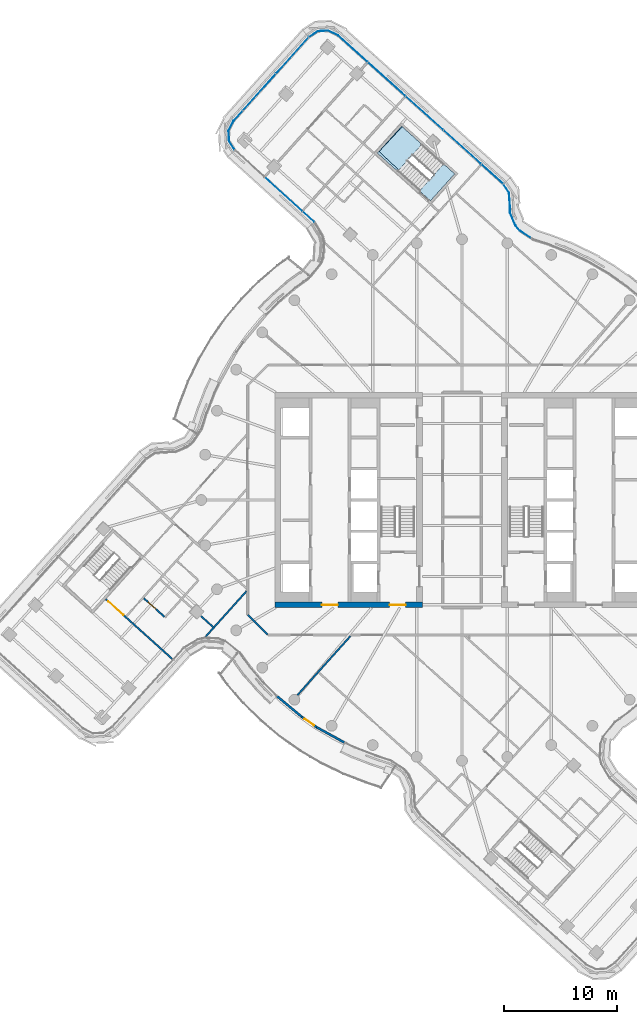
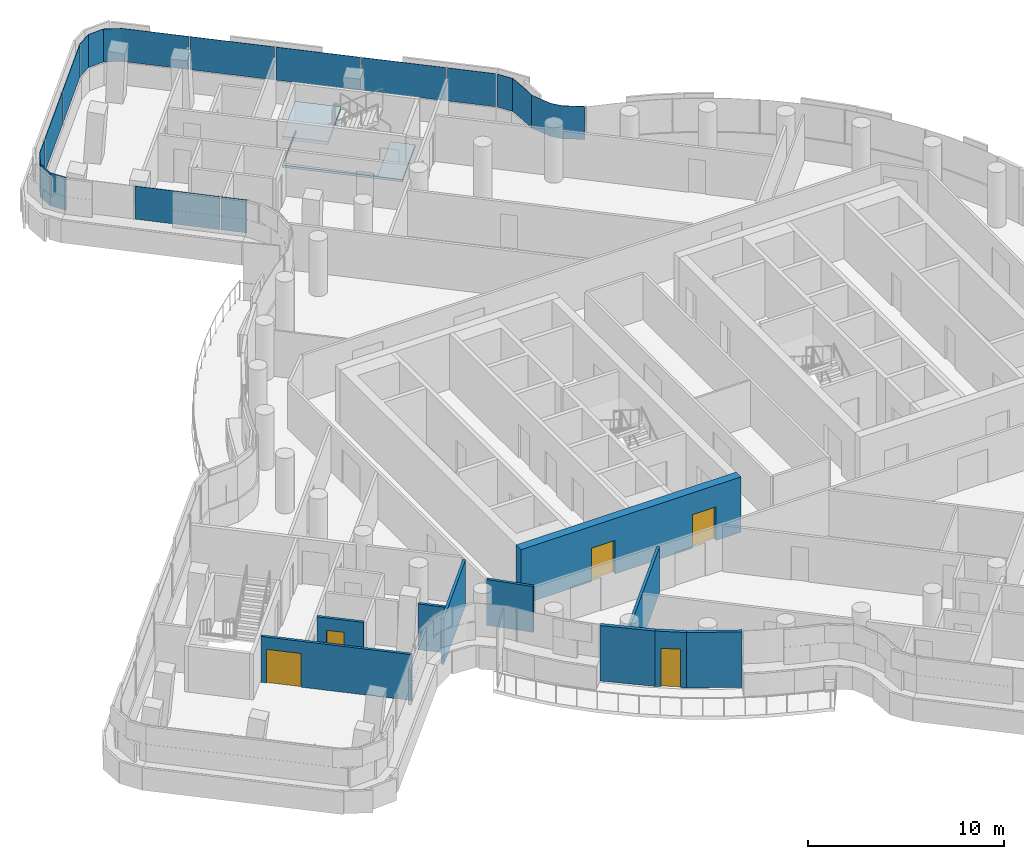
# One storey, part 18 of 31: 11 plates, 10 walls, 5 doors, 2 slabs, 5 openings, 5 elements without a shape of their own.
"""IFC4 building model written with IfcOpenShell, lengths in metres."""

import ifcopenshell
import ifcopenshell.guid

model = None  # the IFC model being written
_history = None  # IfcOwnerHistory: only IFC2X3 demands one
_inside = {}  # id of a spatial element -> (the spatial element, [elements in it])
_under = {}  # id of a project, library or spatial element -> (it, [spatial elements below it])
_declared = {}  # id of a project -> (the project, [libraries it declares])
_typed = {}  # id of a type object -> (the type object, [elements of that type])
_made_of = {}  # id of a material, layer set ... -> (it, [elements and type objects made of it])


def new_model(schema):
    """Start an empty IFC model of exactly this schema.

    Asked for "IFC4X3", IfcOpenShell would pick the latest addendum, in which some entities
    have other attributes; the version numbers below select the first issue.
    IFC2X3 requires an IfcOwnerHistory on every rooted entity: one is made here for all.
    """
    global model, _history
    if schema == "IFC4X3":
        model = ifcopenshell.file(schema_version=(4, 3, 0, 0))
    else:
        model = ifcopenshell.file(schema=schema)
    _inside.clear()
    _under.clear()
    _declared.clear()
    _typed.clear()
    _made_of.clear()
    _history = None
    if model.schema == "IFC2X3":
        org = make("IfcOrganization", Name="unknown")
        user = make(
            "IfcPersonAndOrganization",
            ThePerson=make("IfcPerson", FamilyName="unknown"),
            TheOrganization=org,
        )
        app = make(
            "IfcApplication",
            ApplicationDeveloper=org,
            Version="unknown",
            ApplicationFullName="unknown",
            ApplicationIdentifier="unknown",
        )
        _history = make(
            "IfcOwnerHistory",
            OwningUser=user,
            OwningApplication=app,
            ChangeAction="ADDED",
            CreationDate=0,
        )
    return model


def make(cls, **values):
    """One entity of the class cls with the attributes given. An attribute that is None is left unset."""
    return model.create_entity(
        cls, **{name: value for name, value in values.items() if value is not None}
    )


def rooted(cls, **values):
    """An entity with a GlobalId (a new one), such as an element, a storey or a relation."""
    return make(cls, GlobalId=ifcopenshell.guid.new(), OwnerHistory=_history, **values)


def si_unit(unit_type, name, prefix=None):
    """IfcSIUnit, for example si_unit("LENGTHUNIT", "METRE", prefix="MILLI")."""
    return make("IfcSIUnit", UnitType=unit_type, Prefix=prefix, Name=name)


def assignment(units):
    """IfcUnitAssignment: the units of a project."""
    return None if units is None else make("IfcUnitAssignment", Units=units)


def point(xyz):
    """IfcCartesianPoint."""
    return None if xyz is None else make("IfcCartesianPoint", Coordinates=xyz)


def direction(xyz):
    """IfcDirection."""
    return None if xyz is None else make("IfcDirection", DirectionRatios=xyz)


def frame(location, z_axis=None, x_axis=None):
    """IfcAxis2Placement3D, a coordinate frame: its origin and axes. An axis left out is left unset."""
    return make(
        "IfcAxis2Placement3D",
        Location=point(location),
        Axis=direction(z_axis),
        RefDirection=direction(x_axis),
    )


def frame_2d(location, x_axis=None):
    """IfcAxis2Placement2D, a coordinate frame in the plane: its origin and x axis."""
    return make(
        "IfcAxis2Placement2D", Location=point(location), RefDirection=direction(x_axis)
    )


def origin():
    """The frame at (0, 0, 0) with its axes left unset."""
    return frame((0.0, 0.0, 0.0))


def place(relative_to, where):
    """IfcLocalPlacement: puts the frame where relative to a parent placement (None: the world)."""
    return make(
        "IfcLocalPlacement", PlacementRelTo=relative_to, RelativePlacement=where
    )


def context(
    kind, dimensions, precision=None, world=None, true_north=None, identifier=None
):
    """IfcGeometricRepresentationContext, for example the 3D "Model" context."""
    return make(
        "IfcGeometricRepresentationContext",
        ContextIdentifier=identifier,
        ContextType=kind,
        CoordinateSpaceDimension=dimensions,
        Precision=precision,
        WorldCoordinateSystem=world,
        TrueNorth=true_north,
    )


def subcontext(parent, identifier, kind, view, scale=None):
    """IfcGeometricRepresentationSubContext, for example "Body" below "Model"."""
    return make(
        "IfcGeometricRepresentationSubContext",
        ContextIdentifier=identifier,
        ContextType=kind,
        ParentContext=parent,
        TargetScale=scale,
        TargetView=view,
    )


def project(units=None, contexts=None):
    """IfcProject with its units and contexts."""
    return rooted(
        "IfcProject",
        Name="project",
        RepresentationContexts=contexts,
        UnitsInContext=assignment(units),
    )


def spatial(cls, under=None, at=None, **own):
    """A site, building, storey or space (cls), placed at a placement, below another one or the project."""
    s = rooted(cls, ObjectPlacement=at, **own)
    if under is not None:
        _under.setdefault(under.id(), (under, []))[1].append(s)
    return s


def polyline(points):
    """IfcPolyline through the points."""
    return make("IfcPolyline", Points=[point(p) for p in points])


def profile(cls, at=None, kind="AREA", **sizes):
    """A parametric profile (cls). Its sizes go by their IFC names, for example OverallWidth=200.0."""
    return make(cls, ProfileType=kind, Position=at, **sizes)


def rectangle(**sizes):
    """IfcRectangleProfileDef."""
    return profile("IfcRectangleProfileDef", **sizes)


def outline(outer, holes=None, kind="AREA"):
    """IfcArbitraryClosedProfileDef: a profile drawn as a closed curve; with holes, ...WithVoids."""
    if holes is None:
        return make("IfcArbitraryClosedProfileDef", ProfileType=kind, OuterCurve=outer)
    return make(
        "IfcArbitraryProfileDefWithVoids",
        ProfileType=kind,
        OuterCurve=outer,
        InnerCurves=holes,
    )


def extrude(swept, where, along, depth):
    """IfcExtrudedAreaSolid: the profile swept, set in the frame where, extruded along a direction by depth."""
    return make(
        "IfcExtrudedAreaSolid",
        SweptArea=swept,
        Position=where,
        ExtrudedDirection=direction(along),
        Depth=depth,
    )


def shape(context_of_items, identifier, shape_type, items):
    """IfcShapeRepresentation: the items that make up one representation, for example the "Body"."""
    return make(
        "IfcShapeRepresentation",
        ContextOfItems=context_of_items,
        RepresentationIdentifier=identifier,
        RepresentationType=shape_type,
        Items=items,
    )


def material(Name=None, Category=None):
    """IfcMaterial."""
    return make("IfcMaterial", Name=Name, Category=Category)


def layer(
    of_material, thickness, ventilated=None, Name=None, Category=None, Priority=None
):
    """IfcMaterialLayer: one layer of a wall or slab, of a material (None: an air gap)."""
    return make(
        "IfcMaterialLayer",
        Material=of_material,
        LayerThickness=thickness,
        IsVentilated=ventilated,
        Name=Name,
        Category=Category,
        Priority=Priority,
    )


def layer_set(layers, Name=None):
    """IfcMaterialLayerSet."""
    return make("IfcMaterialLayerSet", MaterialLayers=layers, LayerSetName=Name)


def made_of(thing, what):
    """Note that an element or type object is made of a material, layer set ...; save() writes the relation."""
    if what is not None:
        _made_of.setdefault(what.id(), (what, []))[1].append(thing)
    return thing


def type_object(cls, material=None, **own):
    """A type object (cls), such as IfcWallType, which elements share."""
    return made_of(rooted(cls, **own), material)


def element(
    cls,
    number,
    at=None,
    inside=None,
    cuts=None,
    type_object=None,
    material=None,
    context=None,
    identifier="Body",
    shape_type=None,
    held_by="IfcProductDefinitionShape",
    body=None,
    shapes=None,
    **own,
):
    """One element of the class cls, such as IfcWall. Its Tag is "e" and its number.

    at: its placement. inside: the storey or other place that contains it. cuts: it is an
    opening in that element (IfcRelVoidsElement). A single representation is given by context,
    identifier, shape_type and body (its items); several are given by shapes. held_by: the class
    of the entity that holds the representations. save() writes the other relations.
    """
    e = rooted(cls, Tag="e%d" % number, ObjectPlacement=at, **own)
    if body is not None:
        shapes = [shape(context, identifier, shape_type, body)]
    if shapes is not None:
        e.Representation = make(held_by, Representations=shapes)
    if inside is not None:
        _inside.setdefault(inside.id(), (inside, []))[1].append(e)
    if cuts is not None:
        rooted(
            "IfcRelVoidsElement", RelatingBuildingElement=cuts, RelatedOpeningElement=e
        )
    if type_object is not None:
        _typed.setdefault(type_object.id(), (type_object, []))[1].append(e)
    return made_of(e, material)


def fill(opening, filler):
    """IfcRelFillsElement: the door or window that sits in an opening."""
    return rooted(
        "IfcRelFillsElement",
        RelatingOpeningElement=opening,
        RelatedBuildingElement=filler,
    )


def aggregate(whole, parts):
    """IfcRelAggregates: a whole, such as a stair, and the parts it consists of."""
    return rooted("IfcRelAggregates", RelatingObject=whole, RelatedObjects=parts)


def save(model, path):
    """Write the relations noted so far, then the file.

    IfcRelAggregates (storeys below a building ...), IfcRelContainedInSpatialStructure (elements
    in a storey), IfcRelDefinesByType, IfcRelAssociatesMaterial and IfcRelDeclares: one each for
    every whole, place, type object, material and project.
    """
    for whole, parts in _under.values():
        aggregate(whole, parts)
    for where, things in _inside.values():
        rooted(
            "IfcRelContainedInSpatialStructure",
            RelatedElements=things,
            RelatingStructure=where,
        )
    for kind, things in _typed.values():
        rooted("IfcRelDefinesByType", RelatedObjects=things, RelatingType=kind)
    for what, things in _made_of.values():
        rooted("IfcRelAssociatesMaterial", RelatedObjects=things, RelatingMaterial=what)
    for by, libraries in _declared.values():
        rooted("IfcRelDeclares", RelatingContext=by, RelatedDefinitions=libraries)
    model.write(path)


model = new_model("IFC4")

# Units and contexts
model_context = context("Model", 3, precision=1e-05, world=origin(), true_north=direction((0.0, 1.0)))
body_context = subcontext(model_context, "Body", "Model", "MODEL_VIEW")
ifc_project = project(units=[si_unit("LENGTHUNIT", "METRE"), si_unit("AREAUNIT", "SQUARE_METRE"), si_unit("VOLUMEUNIT", "CUBIC_METRE"), si_unit("PLANEANGLEUNIT", "RADIAN"), si_unit("MASSUNIT", "GRAM", prefix="KILO")], contexts=[model_context])

# Site, building, storey
site_placement = place(None, origin())
site = spatial("IfcSite", under=ifc_project, at=site_placement, CompositionType="ELEMENT")
building_placement = place(site_placement, origin())
building = spatial("IfcBuilding", under=site, at=building_placement, Name="Tamarind Cross Interchange Tower", CompositionType="ELEMENT")
storey_placement = place(building_placement, frame((0.0, 0.0, 207.699951171875)))
storey = spatial("IfcBuildingStorey", under=building, at=storey_placement, Name="L52", CompositionType="ELEMENT", Elevation=207.699951171875)

# Slab
ifc_material_1 = material(Name="Concrete C35", Category="concrete")
ifc_layer_1 = layer(ifc_material_1, 0.139892578125)
ifc_layer_set_1 = layer_set([ifc_layer_1], Name="Concrete C35")
slab_type_1 = type_object("IfcSlabType", Name="Composite slab 140 Concrete C35", PredefinedType="FLOOR", material=ifc_layer_set_1)
slab_1_placement = place(storey_placement, frame((0.0, 0.0, -0.139892578125)))
element("IfcSlab", 1, at=slab_1_placement, inside=storey, type_object=slab_type_1, Name="Floor slab L52", PredefinedType="FLOOR", context=body_context, shape_type="SweptSolid", body=[
    extrude(outline(polyline([(-5.331298828125, 32.97412109375), (-7.469970703125, 30.59375), (-2.78369140625, 26.383056640625), (-0.64501953125, 28.763427734375), (-1.55908203125, 29.5849609375), (-1.620849609375, 29.640380859375), (-3.682373046875, 27.345703125), (-7.31201171875, 30.728515625), (-5.270263671875, 32.919189453125), (-5.331298828125, 32.97412109375)])), origin(), (0.0, 0.0, 1.0), 0.139892578125),
])

# Stair, slab
ifc_material_2 = material(Name="Exit stair")
stair_type = type_object("IfcStairType", Name="Exit stair", PredefinedType="HALF_TURN_STAIR", material=ifc_material_2)
stair_placement = place(storey_placement, origin())
stair = element("IfcStair", 2, at=stair_placement, inside=storey, type_object=stair_type, Name="L52 exit stair ST4", PredefinedType="HALF_TURN_STAIR")
ifc_material_3 = material(Name="Concrete C40", Category="concrete")
ifc_layer_2 = layer(ifc_material_3, 0.199951171875)
ifc_layer_set_2 = layer_set([ifc_layer_2], Name="Concrete C40")
slab_type_2 = type_object("IfcSlabType", Name="Stair landing", PredefinedType="LANDING", material=ifc_layer_set_2)
slab_2_placement = place(storey_placement, frame((0.0, 0.0, 1.60009765625)))
slab_2 = element("IfcSlab", 3, at=slab_2_placement, type_object=slab_type_2, Name="ST4 landing 1", PredefinedType="LANDING", context=body_context, shape_type="SweptSolid", body=[
    extrude(outline(polyline([(-3.537109375, 31.362060546875), (-5.331298828125, 32.973876953125), (-7.469970703125, 30.59375), (-5.67578125, 28.981689453125), (-3.537109375, 31.362060546875)])), origin(), (0.0, 0.0, 1.0), 0.199951171875),
])
aggregate(stair, [slab_2])

# Curtain wall, plate
ifc_material_4 = material(Name="Aluminium 6063-T6", Category="aluminium")
ifc_layer_3 = layer(ifc_material_4, 0.139892578125)
ifc_layer_set_3 = layer_set([ifc_layer_3], Name="Aluminium 6063-T6")
curtain_wall_type = type_object("IfcCurtainWallType", Name="Hotel curtain wall, 4.5 m bays", PredefinedType="NOTDEFINED", material=ifc_layer_set_3)
curtain_wall_1_placement = place(storey_placement, origin())
curtain_wall_1 = element("IfcCurtainWall", 4, at=curtain_wall_1_placement, inside=storey, type_object=curtain_wall_type, Name="CWS-L52-06", PredefinedType="NOTDEFINED")
ifc_material_5 = material(Name="Laminated low-e glass 6+1.52+6", Category="glass")
ifc_layer_4 = layer(ifc_material_5, 0.02392578125)
ifc_layer_set_4 = layer_set([ifc_layer_4], Name="Laminated low-e glass 6+1.52+6")
plate_type = type_object("IfcPlateType", Name="Vision panel CW2", PredefinedType="CURTAIN_PANEL", material=ifc_layer_set_4)
plate_1_placement = place(storey_placement, frame((0.0, 0.0, 1.400146484375)))
plate_1 = element("IfcPlate", 5, at=plate_1_placement, type_object=plate_type, Name="CWP-L52-06-13", PredefinedType="CURTAIN_PANEL", context=body_context, shape_type="SweptSolid", body=[
    extrude(outline(polyline([(6.09326171875, 23.0791015625), (5.107177734375, 23.72705078125), (4.705322265625, 24.206298828125), (4.2275390625, 25.31884765625), (4.206298828125, 26.1552734375), (4.134521484375, 27.09814453125), (3.640380859375, 27.844970703125), (3.660400390625, 27.8583984375), (4.157958984375, 27.106201171875), (4.230224609375, 26.156494140625), (4.25146484375, 25.323974609375), (4.72607421875, 24.218994140625), (5.123291015625, 23.7451171875), (6.1064453125, 23.09912109375), (6.09326171875, 23.0791015625)])), origin(), (0.0, 0.0, 1.0), 2.059814453125),
])
aggregate(curtain_wall_1, [plate_1])

# Curtain wall, plates
curtain_wall_2_placement = place(storey_placement, origin())
curtain_wall_2 = element("IfcCurtainWall", 6, at=curtain_wall_2_placement, inside=storey, type_object=curtain_wall_type, Name="CWS-L52-07", PredefinedType="NOTDEFINED")
plate_2_placement = place(storey_placement, frame((0.0, 0.0, 1.400146484375)))
plate_2 = element("IfcPlate", 7, at=plate_2_placement, type_object=plate_type, Name="CWP-L52-07-00", PredefinedType="CURTAIN_PANEL", context=body_context, shape_type="SweptSolid", body=[
    extrude(outline(polyline([(3.603515625, 27.8876953125), (1.718505859375, 29.58154296875), (1.734375, 29.599365234375), (3.619384765625, 27.90576171875), (3.603515625, 27.8876953125)])), origin(), (0.0, 0.0, 1.0), 2.059814453125),
])
plate_3_placement = place(storey_placement, frame((0.0, 0.0, 1.400146484375)))
plate_3 = element("IfcPlate", 8, at=plate_3_placement, type_object=plate_type, Name="CWP-L52-07-01", PredefinedType="CURTAIN_PANEL", context=body_context, shape_type="SweptSolid", body=[
    extrude(outline(polyline([(1.673828125, 29.62158203125), (-1.6201171875, 32.5810546875), (-1.60400390625, 32.598876953125), (1.68994140625, 29.639404296875), (1.673828125, 29.62158203125)])), origin(), (0.0, 0.0, 1.0), 2.059814453125),
])
plate_4_placement = place(storey_placement, frame((0.0, 0.0, 1.400146484375)))
plate_4 = element("IfcPlate", 9, at=plate_4_placement, type_object=plate_type, Name="CWP-L52-07-02", PredefinedType="CURTAIN_PANEL", context=body_context, shape_type="SweptSolid", body=[
    extrude(outline(polyline([(-1.66455078125, 32.62109375), (-4.95849609375, 35.58056640625), (-4.9423828125, 35.598388671875), (-1.648681640625, 32.638916015625), (-1.66455078125, 32.62109375)])), origin(), (0.0, 0.0, 1.0), 2.059814453125),
])
plate_5_placement = place(storey_placement, frame((0.0, 0.0, 1.400146484375)))
plate_5 = element("IfcPlate", 10, at=plate_5_placement, type_object=plate_type, Name="CWP-L52-07-03", PredefinedType="CURTAIN_PANEL", context=body_context, shape_type="SweptSolid", body=[
    extrude(outline(polyline([(-5.003173828125, 35.62060546875), (-8.296875, 38.580078125), (-8.281005859375, 38.597900390625), (-4.987060546875, 35.638427734375), (-5.003173828125, 35.62060546875)])), origin(), (0.0, 0.0, 1.0), 2.059814453125),
])
plate_6_placement = place(storey_placement, frame((0.0, 0.0, 1.400146484375)))
plate_6 = element("IfcPlate", 11, at=plate_6_placement, type_object=plate_type, Name="CWP-L52-07-04", PredefinedType="CURTAIN_PANEL", context=body_context, shape_type="SweptSolid", body=[
    extrude(outline(polyline([(-8.341552734375, 38.620361328125), (-10.934814453125, 40.9501953125), (-11.7822265625, 41.380859375), (-12.70263671875, 41.331787109375), (-13.4755859375, 40.82861328125), (-13.488525390625, 40.848876953125), (-12.71044921875, 41.355224609375), (-11.777099609375, 41.4052734375), (-10.921142578125, 40.97021484375), (-8.32568359375, 38.63818359375), (-8.341552734375, 38.620361328125)])), origin(), (0.0, 0.0, 1.0), 2.059814453125),
])
aggregate(curtain_wall_2, [plate_2, plate_3, plate_4, plate_5, plate_6])

curtain_wall_3_placement = place(storey_placement, origin())
curtain_wall_3 = element("IfcCurtainWall", 12, at=curtain_wall_3_placement, inside=storey, type_object=curtain_wall_type, Name="CWS-L52-08", PredefinedType="NOTDEFINED")
plate_7_placement = place(storey_placement, frame((0.0, 0.0, 1.400146484375)))
plate_7 = element("IfcPlate", 13, at=plate_7_placement, type_object=plate_type, Name="CWP-L52-08-00", PredefinedType="CURTAIN_PANEL", context=body_context, shape_type="SweptSolid", body=[
    extrude(outline(polyline([(-13.518310546875, 40.7919921875), (-16.382568359375, 37.604248046875), (-16.400390625, 37.6201171875), (-13.5361328125, 40.80810546875), (-13.518310546875, 40.7919921875)])), origin(), (0.0, 0.0, 1.0), 2.059814453125),
])
plate_8_placement = place(storey_placement, frame((0.0, 0.0, 1.400146484375)))
plate_8 = element("IfcPlate", 14, at=plate_8_placement, type_object=plate_type, Name="CWP-L52-08-01", PredefinedType="CURTAIN_PANEL", context=body_context, shape_type="SweptSolid", body=[
    extrude(outline(polyline([(-16.422607421875, 37.5595703125), (-19.286865234375, 34.37158203125), (-19.3046875, 34.3876953125), (-16.4404296875, 37.575439453125), (-16.422607421875, 37.5595703125)])), origin(), (0.0, 0.0, 1.0), 2.059814453125),
])
plate_9_placement = place(storey_placement, frame((0.0, 0.0, 1.400146484375)))
plate_9 = element("IfcPlate", 15, at=plate_9_placement, type_object=plate_type, Name="CWP-L52-08-02", PredefinedType="CURTAIN_PANEL", context=body_context, shape_type="SweptSolid", body=[
    extrude(outline(polyline([(-19.326904296875, 34.326904296875), (-20.1455078125, 33.416015625), (-20.576171875, 32.568603515625), (-20.52685546875, 31.6484375), (-20.0234375, 30.875), (-20.043701171875, 30.862060546875), (-20.550537109375, 31.640625), (-20.600341796875, 32.57373046875), (-20.165283203125, 33.4296875), (-19.344970703125, 34.343017578125), (-19.326904296875, 34.326904296875)])), origin(), (0.0, 0.0, 1.0), 2.059814453125),
])
aggregate(curtain_wall_3, [plate_7, plate_8, plate_9])

curtain_wall_4_placement = place(storey_placement, origin())
curtain_wall_4 = element("IfcCurtainWall", 16, at=curtain_wall_4_placement, inside=storey, type_object=curtain_wall_type, Name="CWS-L52-09", PredefinedType="NOTDEFINED")
plate_10_placement = place(storey_placement, frame((0.0, 0.0, 1.400146484375)))
plate_10 = element("IfcPlate", 17, at=plate_10_placement, type_object=plate_type, Name="CWP-L52-09-01", PredefinedType="CURTAIN_PANEL", context=body_context, shape_type="SweptSolid", body=[
    extrude(outline(polyline([(-17.373291015625, 28.461669921875), (-14.0830078125, 25.477783203125), (-14.09912109375, 25.4599609375), (-17.389404296875, 28.444091796875), (-17.373291015625, 28.461669921875)])), origin(), (0.0, 0.0, 1.0), 2.059814453125),
])
plate_11_placement = place(storey_placement, frame((0.0, 0.0, 1.400146484375)))
plate_11 = element("IfcPlate", 18, at=plate_11_placement, type_object=plate_type, Name="CWP-L52-09-02", PredefinedType="CURTAIN_PANEL", context=body_context, shape_type="SweptSolid", body=[
    extrude(outline(polyline([(-14.03857421875, 25.4375), (-13.0283203125, 24.521240234375), (-13.04443359375, 24.50341796875), (-14.0546875, 25.419677734375), (-14.03857421875, 25.4375)])), origin(), (0.0, 0.0, 1.0), 2.059814453125),
])
aggregate(curtain_wall_4, [plate_10, plate_11])

# Walls
ifc_layer_5 = layer(ifc_material_3, 0.199951171875)
ifc_layer_set_5 = layer_set([ifc_layer_5], Name="Concrete C40")
wall_type_1 = type_object("IfcWallType", Name="Balcony and garden door wall", PredefinedType="SOLIDWALL", material=ifc_layer_set_5)
wall_1_placement = place(storey_placement, frame((-16.3154296875, -17.30419921875, 0.0), z_axis=(0.0, 0.0, 1.0), x_axis=(0.767848233203, -0.640631790318, 0.0)))
element("IfcWall", 19, at=wall_1_placement, inside=storey, type_object=wall_type_1, Name="EXW-L52-02-D02L", PredefinedType="SOLIDWALL", context=body_context, shape_type="SweptSolid", body=[
    extrude(rectangle(XDim=2.843994140625, YDim=0.199951171875, at=frame_2d((1.421875, 0.0))), origin(), (0.0, 0.0, 1.0), 3.4599609375),
])
wall_2_placement = place(storey_placement, frame((-12.819580078125, -20.04150390625, 0.0), z_axis=(0.0, 0.0, 1.0), x_axis=(0.87571533724, -0.482827762378, 0.0)))
element("IfcWall", 20, at=wall_2_placement, inside=storey, type_object=wall_type_1, Name="EXW-L52-02-D02R", PredefinedType="SOLIDWALL", context=body_context, shape_type="SweptSolid", body=[
    extrude(rectangle(XDim=2.8447265625, YDim=0.199951171875, at=frame_2d((1.42236328125, 0.0))), origin(), (0.0, 0.0, 1.0), 3.4599609375),
])

# Wall, opening, door
wall_3_placement = place(storey_placement, frame((-14.131591796875, -19.126220703125, 0.0), z_axis=(0.0, 0.0, 1.0), x_axis=(0.820148605053, -0.572150562029, 0.0)))
wall_3 = element("IfcWall", 21, at=wall_3_placement, inside=storey, type_object=wall_type_1, Name="EXW-L52-02-D02", PredefinedType="SOLIDWALL", context=body_context, shape_type="SweptSolid", body=[
    extrude(rectangle(XDim=1.599609375, YDim=0.199951171875, at=frame_2d((0.7998046875, 0.0))), origin(), (0.0, 0.0, 1.0), 3.4599609375),
])
opening_1_placement = place(wall_3_placement, frame((0.2998046875, 0.0, 0.0)))
opening_1 = element("IfcOpeningElement", 22, at=opening_1_placement, cuts=wall_3, Name="Opening D2", PredefinedType="OPENING", context=body_context, shape_type="SweptSolid", body=[
    extrude(rectangle(XDim=1.0, YDim=2.39990234375, at=frame_2d((0.5, 1.199951171875))), frame((0.0, 0.10986328125, 0.0), z_axis=(0.0, -1.0, 0.0), x_axis=(1.0, 0.0, 0.0)), (0.0, 0.0, 1.0), 0.219970703125),
])
ifc_material_6 = material(Name="Aluminium and toughened glass", Category="aluminium")
door_type_1 = type_object("IfcDoorType", Name="Balcony and garden door", OperationType="SINGLE_SWING_LEFT", PredefinedType="DOOR", material=ifc_material_6)
door_1_placement = place(opening_1_placement, origin())
door_1 = element("IfcDoor", 23, at=door_1_placement, inside=storey, type_object=door_type_1, Name="DOR-L52-02-02", OperationType="SINGLE_SWING_LEFT", OverallHeight=2.39990234375, OverallWidth=1.0, PredefinedType="DOOR", context=body_context, shape_type="SweptSolid", body=[
    extrude(rectangle(XDim=1.0, YDim=2.39990234375, at=frame_2d((0.5, 1.199951171875))), frame((0.0, 0.02490234375, 0.0), z_axis=(0.0, -1.0, 0.0), x_axis=(1.0, 0.0, 0.0)), (0.0, 0.0, 1.0), 0.050048828125),
])
fill(opening_1, door_1)

# Wall, openings, doors
ifc_material_7 = material(Name="Concrete C55", Category="concrete")
ifc_layer_6 = layer(ifc_material_7, 0.5)
ifc_layer_set_6 = layer_set([ifc_layer_6], Name="Concrete C55")
wall_type_2 = type_object("IfcWallType", Name="Core wall 500 mm Concrete C55", PredefinedType="SHEAR", material=ifc_layer_set_6)
wall_4_placement = place(storey_placement, frame((-16.5, -9.25, 0.0), z_axis=(0.0, 0.0, 1.0), x_axis=(1.0, 0.0, 0.0)))
wall_4 = element("IfcWall", 24, at=wall_4_placement, inside=storey, type_object=wall_type_2, Name="Core wall CWL-L52-W-S", PredefinedType="SHEAR", context=body_context, shape_type="SweptSolid", body=[
    extrude(rectangle(XDim=13.0, YDim=0.5, at=frame_2d((6.5, 0.0))), origin(), (0.0, 0.0, 1.0), 3.4599609375),
])
opening_2_placement = place(wall_4_placement, frame((4.14990234375, 0.0, 0.0)))
opening_2 = element("IfcOpeningElement", 25, at=opening_2_placement, cuts=wall_4, Name="Opening DCW1", PredefinedType="OPENING", context=body_context, shape_type="SweptSolid", body=[
    extrude(rectangle(XDim=1.39990234375, YDim=2.10009765625, at=frame_2d((0.699951171875, 1.050048828125))), frame((0.0, 0.260009765625, 0.0), z_axis=(0.0, -1.0, 0.0), x_axis=(1.0, 0.0, 0.0)), (0.0, 0.0, 1.0), 0.52001953125),
])
opening_3_placement = place(wall_4_placement, frame((10.125, 0.0, 0.0)))
opening_3 = element("IfcOpeningElement", 26, at=opening_3_placement, cuts=wall_4, Name="Opening DCWF", PredefinedType="OPENING", context=body_context, shape_type="SweptSolid", body=[
    extrude(rectangle(XDim=1.39990234375, YDim=2.10009765625, at=frame_2d((0.699951171875, 1.050048828125))), frame((0.0, 0.260009765625, 0.0), z_axis=(0.0, -1.0, 0.0), x_axis=(1.0, 0.0, 0.0)), (0.0, 0.0, 1.0), 0.52001953125),
])
ifc_material_8 = material(Name="Steel, fire-resisting", Category="steel")
door_type_2 = type_object("IfcDoorType", Name="Core fire door 1400 x 2100 FD90", OperationType="SINGLE_SWING_LEFT", PredefinedType="DOOR", material=ifc_material_8)
door_2_placement = place(opening_2_placement, origin())
door_2 = element("IfcDoor", 27, at=door_2_placement, inside=storey, type_object=door_type_2, Name="L52 lift lobby door", OperationType="SINGLE_SWING_LEFT", OverallHeight=2.10009765625, OverallWidth=1.39990234375, PredefinedType="DOOR", context=body_context, shape_type="SweptSolid", body=[
    extrude(rectangle(XDim=1.39990234375, YDim=2.10009765625, at=frame_2d((0.699951171875, 1.050048828125))), frame((0.0, 0.02490234375, 0.0), z_axis=(0.0, -1.0, 0.0), x_axis=(1.0, 0.0, 0.0)), (0.0, 0.0, 1.0), 0.050048828125),
])
fill(opening_2, door_2)
door_3_placement = place(opening_3_placement, origin())
door_3 = element("IfcDoor", 28, at=door_3_placement, inside=storey, type_object=door_type_2, Name="L52 firefighting lobby end door", OperationType="SINGLE_SWING_LEFT", OverallHeight=2.10009765625, OverallWidth=1.39990234375, PredefinedType="DOOR", context=body_context, shape_type="SweptSolid", body=[
    extrude(rectangle(XDim=1.39990234375, YDim=2.10009765625, at=frame_2d((0.699951171875, 1.050048828125))), frame((0.0, 0.02490234375, 0.0), z_axis=(0.0, -1.0, 0.0), x_axis=(1.0, 0.0, 0.0)), (0.0, 0.0, 1.0), 0.050048828125),
])
fill(opening_3, door_3)

# Wall
ifc_material_9 = material(Name="Gypsum board partition on steel studs", Category="steel")
ifc_layer_7 = layer(ifc_material_9, 0.14990234375)
ifc_layer_set_7 = layer_set([ifc_layer_7], Name="Gypsum board partition on steel studs")
wall_type_3 = type_object("IfcWallType", Name="Partition 150 mm EI 120", PredefinedType="PARTITIONING", material=ifc_layer_set_7)
wall_5_placement = place(storey_placement, frame((-18.87158203125, -10.12841796875, 0.0), z_axis=(0.0, 0.0, 1.0), x_axis=(0.707106781187, -0.707106781187, 0.0)))
element("IfcWall", 29, at=wall_5_placement, inside=storey, type_object=wall_type_3, Name="Partition L52-002", PredefinedType="PARTITIONING", context=body_context, shape_type="SweptSolid", body=[
    extrude(rectangle(XDim=2.465087890625, YDim=0.14990234375, at=frame_2d((1.232421875, 0.0))), origin(), (0.0, 0.0, 1.0), 2.864013671875),
])

# Wall, opening, door
wall_6_placement = place(storey_placement, frame((-31.41845703125, -8.746826171875, 0.0), z_axis=(0.0, 0.0, 1.0), x_axis=(0.743732133958, -0.668477757984, 0.0)))
wall_6 = element("IfcWall", 30, at=wall_6_placement, inside=storey, type_object=wall_type_3, Name="Partition L52-005", PredefinedType="PARTITIONING", context=body_context, shape_type="SweptSolid", body=[
    extrude(rectangle(XDim=7.896484375, YDim=0.14990234375, at=frame_2d((3.9482421875, 0.0))), origin(), (0.0, 0.0, 1.0), 2.864013671875),
])
opening_4_placement = place(wall_6_placement, frame((0.300048828125, 0.0, 0.0)))
opening_4 = element("IfcOpeningElement", 31, at=opening_4_placement, cuts=wall_6, Name="Opening D02", PredefinedType="OPENING", context=body_context, shape_type="SweptSolid", body=[
    extrude(rectangle(XDim=1.800048828125, YDim=2.10009765625, at=frame_2d((0.89990234375, 1.050048828125))), frame((0.0, 0.0849609375, 0.0), z_axis=(0.0, -1.0, 0.0), x_axis=(1.0, 0.0, 0.0)), (0.0, 0.0, 1.0), 0.169921875),
])
ifc_material_10 = material(Name="Fire-resisting door set")
door_type_3 = type_object("IfcDoorType", Name="Interior door 1800 x 2100 FD60S", OperationType="DOUBLE_DOOR_SINGLE_SWING", PredefinedType="DOOR", material=ifc_material_10)
door_4_placement = place(opening_4_placement, frame((1.800048828125, 0.0, 0.0), z_axis=(0.0, 0.0, 1.0), x_axis=(-1.0, 0.0, 0.0)))
door_4 = element("IfcDoor", 32, at=door_4_placement, inside=storey, type_object=door_type_3, Name="Door D02", OperationType="DOUBLE_DOOR_SINGLE_SWING", OverallHeight=2.10009765625, OverallWidth=1.800048828125, PredefinedType="DOOR", context=body_context, shape_type="SweptSolid", body=[
    extrude(rectangle(XDim=1.800048828125, YDim=2.10009765625, at=frame_2d((0.89990234375, 1.050048828125))), frame((0.0, 0.02490234375, 0.0), z_axis=(0.0, -1.0, 0.0), x_axis=(1.0, 0.0, 0.0)), (0.0, 0.0, 1.0), 0.050048828125),
])
fill(opening_4, door_4)

wall_7_placement = place(storey_placement, frame((-28.0654296875, -8.66552734375, 0.0), z_axis=(0.0, 0.0, 1.0), x_axis=(0.743795402639, -0.668407360084, 0.0)))
wall_7 = element("IfcWall", 33, at=wall_7_placement, inside=storey, type_object=wall_type_3, Name="Partition L52-008", PredefinedType="PARTITIONING", context=body_context, shape_type="SweptSolid", body=[
    extrude(rectangle(XDim=2.445068359375, YDim=0.14990234375, at=frame_2d((1.22265625, 0.0))), origin(), (0.0, 0.0, 1.0), 2.864013671875),
])
opening_5_placement = place(wall_7_placement, frame((0.52001953125, 0.0, 0.0)))
opening_5 = element("IfcOpeningElement", 34, at=opening_5_placement, cuts=wall_7, Name="Opening D04", PredefinedType="OPENING", context=body_context, shape_type="SweptSolid", body=[
    extrude(rectangle(XDim=0.89990234375, YDim=2.10009765625, at=frame_2d((0.449951171875, 1.050048828125))), frame((0.0, 0.0849609375, 0.0), z_axis=(0.0, -1.0, 0.0), x_axis=(1.0, 0.0, 0.0)), (0.0, 0.0, 1.0), 0.169921875),
])
door_type_4 = type_object("IfcDoorType", Name="Interior door 900 x 2100 FD60S", OperationType="SINGLE_SWING_LEFT", PredefinedType="DOOR", material=ifc_material_10)
door_5_placement = place(opening_5_placement, origin())
door_5 = element("IfcDoor", 35, at=door_5_placement, inside=storey, type_object=door_type_4, Name="Door D04", OperationType="SINGLE_SWING_RIGHT", OverallHeight=2.10009765625, OverallWidth=0.89990234375, PredefinedType="DOOR", context=body_context, shape_type="SweptSolid", body=[
    extrude(rectangle(XDim=0.89990234375, YDim=2.10009765625, at=frame_2d((0.449951171875, 1.050048828125))), frame((0.0, 0.02490234375, 0.0), z_axis=(0.0, -1.0, 0.0), x_axis=(1.0, 0.0, 0.0)), (0.0, 0.0, 1.0), 0.050048828125),
])
fill(opening_5, door_5)

# Walls
wall_8_placement = place(storey_placement, frame((-23.0068359375, -10.25439453125, 0.0), z_axis=(0.0, 0.0, 1.0), x_axis=(0.743791407792, -0.668411805472, 0.0)))
element("IfcWall", 36, at=wall_8_placement, inside=storey, type_object=wall_type_3, Name="Partition L52-010", PredefinedType="PARTITIONING", context=body_context, shape_type="SweptSolid", body=[
    extrude(rectangle(XDim=1.415283203125, YDim=0.14990234375, at=frame_2d((0.70751953125, 0.0))), origin(), (0.0, 0.0, 1.0), 2.864013671875),
])
wall_9_placement = place(storey_placement, frame((-22.6171875, -12.05908203125, 0.0), z_axis=(0.0, 0.0, 1.0), x_axis=(0.668266543516, 0.743921922528, 0.0)))
element("IfcWall", 37, at=wall_9_placement, inside=storey, type_object=wall_type_3, Name="Partition L52-043", PredefinedType="PARTITIONING", context=body_context, shape_type="SweptSolid", body=[
    extrude(rectangle(XDim=5.392333984375, YDim=0.14990234375, at=frame_2d((2.6962890625, 0.0))), origin(), (0.0, 0.0, 1.0), 2.864013671875),
])
wall_10_placement = place(storey_placement, frame((-14.5234375, -17.21728515625, 0.0), z_axis=(0.0, 0.0, 1.0), x_axis=(0.668288418093, 0.743902271971, 0.0)))
element("IfcWall", 38, at=wall_10_placement, inside=storey, type_object=wall_type_3, Name="Partition L52-047", PredefinedType="PARTITIONING", context=body_context, shape_type="SweptSolid", body=[
    extrude(rectangle(XDim=7.003173828125, YDim=0.14990234375, at=frame_2d((3.50146484375, 0.0))), origin(), (0.0, 0.0, 1.0), 2.864013671875),
])

save(model, "model.ifc")
